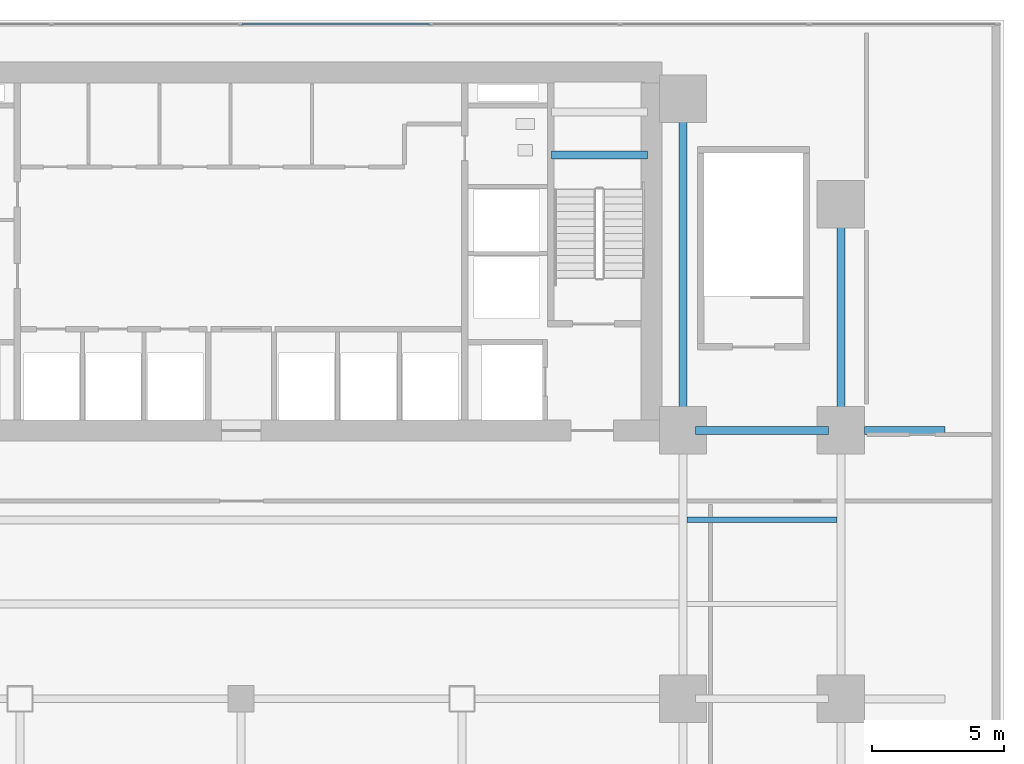
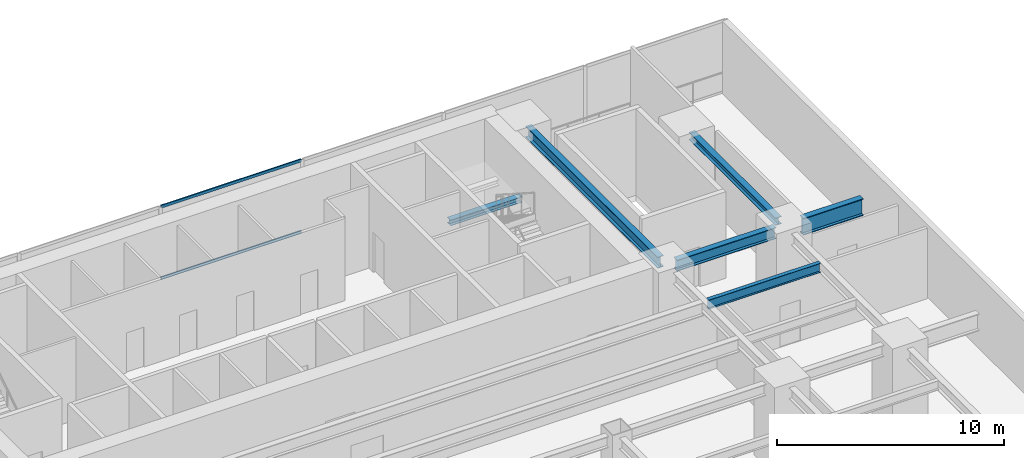
# One storey, part 5 of 15: 6 beams, 2 members, 1 element without a shape of its own.
"""IFC4 building model written with IfcOpenShell, lengths in metres."""

from ifc_helpers import new_model, si_unit, direction, frame, origin, origin_2d, place, context, subcontext, project, spatial, hollow_rectangle, i_section, extrude, source, transform, mapped, material, layer, layer_set, material_profile, profile_set, type_object, element, aggregate, save


model = new_model("IFC4")

# Units and contexts
model_context = context("Model", 3, precision=1e-05, world=origin(), true_north=direction((0.0, 1.0)))
body_context = subcontext(model_context, "Body", "Model", "MODEL_VIEW")
ifc_project = project(units=[si_unit("LENGTHUNIT", "METRE"), si_unit("AREAUNIT", "SQUARE_METRE"), si_unit("VOLUMEUNIT", "CUBIC_METRE"), si_unit("PLANEANGLEUNIT", "RADIAN"), si_unit("MASSUNIT", "GRAM", prefix="KILO")], contexts=[model_context])

# Site, building, storey
site_placement = place(None, origin())
site = spatial("IfcSite", under=ifc_project, at=site_placement, CompositionType="ELEMENT")
building_placement = place(site_placement, origin())
building = spatial("IfcBuilding", under=site, at=building_placement, Name="Sumidabori Civic Tower", CompositionType="ELEMENT")
storey_placement = place(building_placement, frame((0.0, 0.0, 18.949951171875)))
storey = spatial("IfcBuildingStorey", under=building, at=storey_placement, Name="L04", CompositionType="ELEMENT", Elevation=18.949951171875)

# Beams
ifc_material_1 = material(Name="Steel SN490", Category="steel")
ifc_material_profile_1 = material_profile(ifc_material_1, i_section(OverallWidth=0.300048828125, OverallDepth=0.300048828125, WebThickness=0.010986328125, FlangeThickness=0.01904296875, at=origin_2d()), Name="HE 300 B")
ifc_profile_set_1 = profile_set([ifc_material_profile_1], Name="Steel SN490")
beam_type_1 = type_object("IfcBeamType", Name="BM-LDG-300", PredefinedType="BEAM", material=ifc_profile_set_1)
shared_shape_1 = source(origin(), body_context, "Body", "SweptSolid", [
    extrude(i_section(OverallWidth=0.300048828125, OverallDepth=0.300048828125, WebThickness=0.010986328125, FlangeThickness=0.01904296875, at=origin_2d()), origin(), (0.0, 0.0, 1.0), 3.64990234375),
])
beam_1_placement = place(storey_placement, frame((11.800048828125, 20.668701171875, 1.97509765625), z_axis=(1.0, 0.0, 0.0), x_axis=(0.0, 1.0, 0.0)))
element("IfcBeam", 1, at=beam_1_placement, inside=storey, type_object=beam_type_1, Name="Stair ST-2 Landing Support Beam L04-1A", PredefinedType="BEAM", context=body_context, shape_type="MappedRepresentation", body=[
    mapped(shared_shape_1, transform((0.0, 0.0, 0.0), x_axis=(1.0, 0.0, 0.0), y_axis=(0.0, 1.0, 0.0), z_axis=(0.0, 0.0, 1.0), scale=1.0)),
])
ifc_material_profile_2 = material_profile(ifc_material_1, i_section(OverallWidth=0.300048828125, OverallDepth=0.60009765625, WebThickness=0.015380859375, FlangeThickness=0.030029296875, at=origin_2d()), Name="HE 600 B")
ifc_profile_set_2 = profile_set([ifc_material_profile_2], Name="Steel SN490")
beam_type_2 = type_object("IfcBeamType", Name="BM-GIRD-600", PredefinedType="BEAM", material=ifc_profile_set_2)
shared_shape_2 = source(origin(), body_context, "Body", "SweptSolid", [
    extrude(i_section(OverallWidth=0.300048828125, OverallDepth=0.60009765625, WebThickness=0.015380859375, FlangeThickness=0.030029296875, at=origin_2d()), origin(), (0.0, 0.0, 1.0), 5.0400390625),
])
beam_2_placement = place(storey_placement, frame((17.280029296875, 10.199951171875, 4.110107421875), z_axis=(1.0, 0.0, 0.0), x_axis=(0.0, 1.0, 0.0)))
element("IfcBeam", 2, at=beam_2_placement, inside=storey, type_object=beam_type_2, Name="Primary Girder L04 GX-18", PredefinedType="BEAM", context=body_context, shape_type="MappedRepresentation", body=[
    mapped(shared_shape_2, transform((0.0, 0.0, 0.0), x_axis=(1.0, 0.0, 0.0), y_axis=(0.0, 1.0, 0.0), z_axis=(0.0, 0.0, 1.0), scale=1.0)),
])
ifc_material_profile_3 = material_profile(ifc_material_1, i_section(OverallWidth=0.300048828125, OverallDepth=0.39990234375, WebThickness=0.013427734375, FlangeThickness=0.02392578125, at=origin_2d()), Name="HE 400 B")
ifc_profile_set_3 = profile_set([ifc_material_profile_3], Name="Steel SN490")
beam_type_3 = type_object("IfcBeamType", Name="BM-GIRD-400", PredefinedType="BEAM", material=ifc_profile_set_3)
shared_shape_3 = source(origin(), body_context, "Body", "SweptSolid", [
    extrude(i_section(OverallWidth=0.300048828125, OverallDepth=0.39990234375, WebThickness=0.013427734375, FlangeThickness=0.02392578125, at=origin_2d()), origin(), (0.0, 0.0, 1.0), 7.64013671875),
])
beam_3_placement = place(storey_placement, frame((22.800048828125, 10.679931640625, 4.2099609375), z_axis=(0.0, 1.0, 0.0), x_axis=(-1.0, 0.0, 0.0)))
element("IfcBeam", 3, at=beam_3_placement, inside=storey, type_object=beam_type_3, Name="Primary Girder L04 GY-40", PredefinedType="BEAM", context=body_context, shape_type="MappedRepresentation", body=[
    mapped(shared_shape_3, transform((0.0, 0.0, 0.0), x_axis=(1.0, 0.0, 0.0), y_axis=(0.0, 1.0, 0.0), z_axis=(0.0, 0.0, 1.0), scale=1.0)),
])
shared_shape_4 = source(origin(), body_context, "Body", "SweptSolid", [
    extrude(i_section(OverallWidth=0.300048828125, OverallDepth=0.60009765625, WebThickness=0.015380859375, FlangeThickness=0.030029296875, at=origin_2d()), origin(), (0.0, 0.0, 1.0), 11.64013671875),
])
beam_4_placement = place(storey_placement, frame((16.800048828125, 10.679931640625, 4.110107421875), z_axis=(0.0, 1.0, 0.0), x_axis=(-1.0, 0.0, 0.0)))
element("IfcBeam", 4, at=beam_4_placement, inside=storey, type_object=beam_type_2, Name="Primary Girder L04 GY-36", PredefinedType="BEAM", context=body_context, shape_type="MappedRepresentation", body=[
    mapped(shared_shape_4, transform((0.0, 0.0, 0.0), x_axis=(1.0, 0.0, 0.0), y_axis=(0.0, 1.0, 0.0), z_axis=(0.0, 0.0, 1.0), scale=1.0)),
])
ifc_material_profile_4 = material_profile(ifc_material_1, i_section(OverallWidth=0.302001953125, OverallDepth=0.909912109375, WebThickness=0.02099609375, FlangeThickness=0.0400390625, at=origin_2d()), Name="HE 900 M")
ifc_profile_set_4 = profile_set([ifc_material_profile_4], Name="Steel SN490")
beam_type_4 = type_object("IfcBeamType", Name="BM-Z1-EDGE", PredefinedType="SPANDREL", material=ifc_profile_set_4)
shared_shape_5 = source(origin(), body_context, "Body", "SweptSolid", [
    extrude(i_section(OverallWidth=0.302001953125, OverallDepth=0.909912109375, WebThickness=0.02099609375, FlangeThickness=0.0400390625, at=origin_2d()), origin(), (0.0, 0.0, 1.0), 3.050048828125),
])
beam_5_placement = place(storey_placement, frame((23.699951171875, 10.199951171875, 3.955078125), z_axis=(1.0, 0.0, 0.0), x_axis=(0.0, 1.0, 0.0)))
element("IfcBeam", 5, at=beam_5_placement, inside=storey, type_object=beam_type_4, Name="Perimeter Overhang Beam L04 E-45", PredefinedType="SPANDREL", context=body_context, shape_type="MappedRepresentation", body=[
    mapped(shared_shape_5, transform((0.0, 0.0, 0.0), x_axis=(1.0, 0.0, 0.0), y_axis=(0.0, 1.0, 0.0), z_axis=(0.0, 0.0, 1.0), scale=1.0)),
])
ifc_material_profile_5 = material_profile(ifc_material_1, i_section(OverallWidth=0.199951171875, OverallDepth=0.5, WebThickness=0.01025390625, FlangeThickness=0.01611328125, at=origin_2d()), Name="IPE 500")
ifc_profile_set_5 = profile_set([ifc_material_profile_5], Name="Steel SN490")
beam_type_5 = type_object("IfcBeamType", Name="BM-JST-500", PredefinedType="JOIST", material=ifc_profile_set_5)
shared_shape_6 = source(origin(), body_context, "Body", "SweptSolid", [
    extrude(i_section(OverallWidth=0.199951171875, OverallDepth=0.5, WebThickness=0.01025390625, FlangeThickness=0.01611328125, at=origin_2d()), origin(), (0.0, 0.0, 1.0), 5.699951171875),
])
beam_6_placement = place(storey_placement, frame((16.949951171875, 6.800048828125, 4.16015625), z_axis=(1.0, 0.0, 0.0), x_axis=(0.0, 1.0, 0.0)))
element("IfcBeam", 6, at=beam_6_placement, inside=storey, type_object=beam_type_5, Name="Outer Bay Floor Joist L04 JSTO-54", PredefinedType="JOIST", context=body_context, shape_type="MappedRepresentation", body=[
    mapped(shared_shape_6, transform((0.0, 0.0, 0.0), x_axis=(1.0, 0.0, 0.0), y_axis=(0.0, 1.0, 0.0), z_axis=(0.0, 0.0, 1.0), scale=1.0)),
])

# Curtain wall, members
ifc_material_2 = material(Name="Anodised Bronze Aluminium AW-6063-T6", Category="aluminium")
ifc_layer = layer(ifc_material_2, 0.179931640625, Name="Anodised Bronze Aluminium AW-6063-T6")
ifc_layer_set = layer_set([ifc_layer], Name="Anodised Bronze Aluminium AW-6063-T6")
curtain_wall_type = type_object("IfcCurtainWallType", Name="CW-SYS-1", PredefinedType="NOTDEFINED", material=ifc_layer_set)
curtain_wall_placement = place(storey_placement, origin())
curtain_wall = element("IfcCurtainWall", 7, at=curtain_wall_placement, inside=storey, type_object=curtain_wall_type, Name="Curtain Wall CW:L04:NORTH", PredefinedType="NOTDEFINED")
ifc_material_profile_6 = material_profile(ifc_material_2, hollow_rectangle(XDim=0.06494140625, YDim=0.14990234375, WallThickness=0.0048828125, at=origin_2d()), Name="ALU TRANSOM 150x65")
ifc_profile_set_6 = profile_set([ifc_material_profile_6], Name="Anodised Bronze Aluminium AW-6063-T6")
member_type = type_object("IfcMemberType", Name="CW-TRN-150", PredefinedType="USERDEFINED", material=ifc_profile_set_6)
shared_shape_7 = source(origin(), body_context, "Body", "SweptSolid", [
    extrude(hollow_rectangle(XDim=0.06494140625, YDim=0.14990234375, WallThickness=0.0048828125, at=origin_2d()), origin(), (0.0, 0.0, 1.0), 7.130126953125),
])
member_1_placement = place(storey_placement, frame((0.034912109375, 25.64990234375, 0.032470703125), z_axis=(1.0, 0.0, 0.0), x_axis=(0.0, 1.0, 0.0)))
member_1 = element("IfcMember", 8, at=member_1_placement, type_object=member_type, Name="CW-1 transom 5.1", ObjectType="TRANSOM", PredefinedType="USERDEFINED", context=body_context, shape_type="MappedRepresentation", body=[
    mapped(shared_shape_7, transform((0.0, 0.0, 0.0), x_axis=(1.0, 0.0, 0.0), y_axis=(0.0, 1.0, 0.0), z_axis=(0.0, 0.0, 1.0), scale=1.0)),
])
member_2_placement = place(storey_placement, frame((0.034912109375, 25.64990234375, 3.87744140625), z_axis=(1.0, 0.0, 0.0), x_axis=(0.0, 1.0, 0.0)))
member_2 = element("IfcMember", 9, at=member_2_placement, type_object=member_type, Name="CW-1 transom 5.2", ObjectType="TRANSOM", PredefinedType="USERDEFINED", context=body_context, shape_type="MappedRepresentation", body=[
    mapped(shared_shape_7, transform((0.0, 0.0, 0.0), x_axis=(1.0, 0.0, 0.0), y_axis=(0.0, 1.0, 0.0), z_axis=(0.0, 0.0, 1.0), scale=1.0)),
])
aggregate(curtain_wall, [member_1, member_2])

save(model, "model.ifc")
